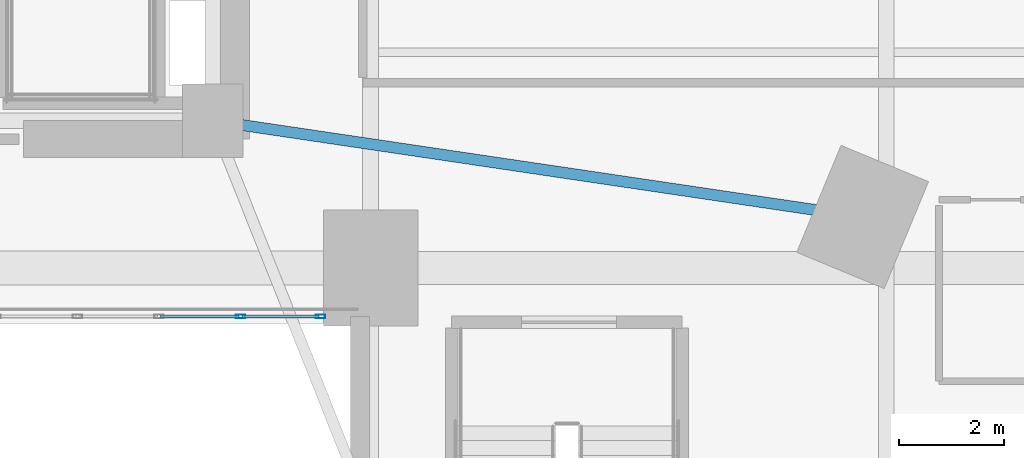
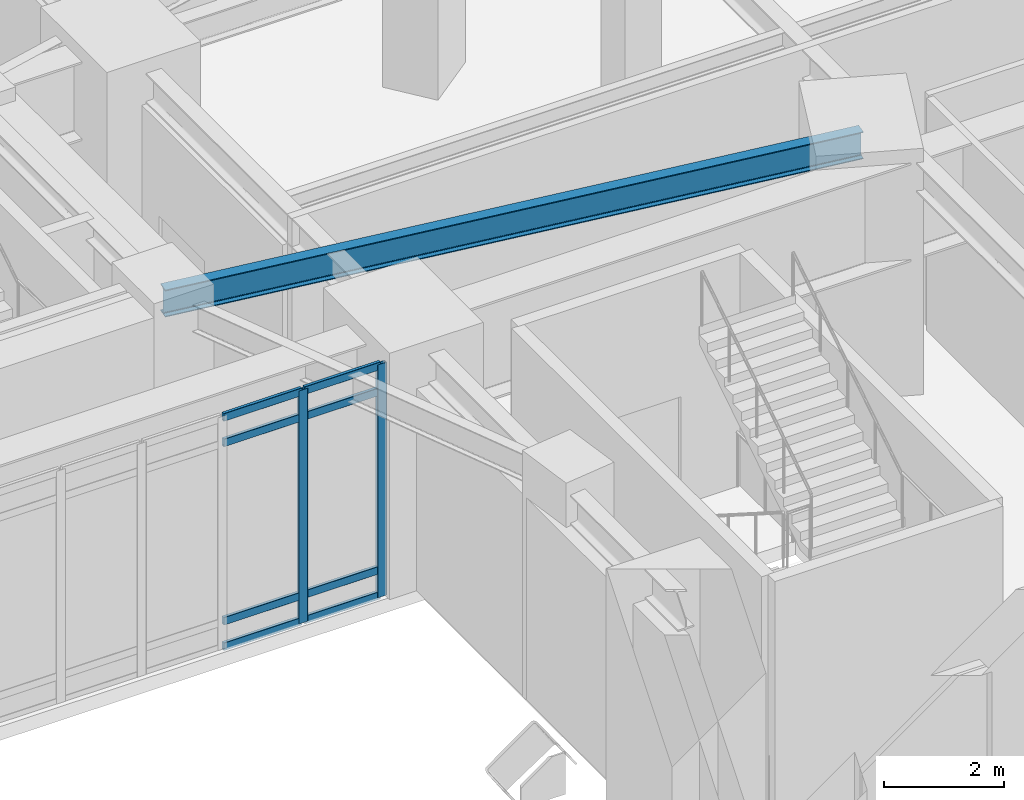
# One storey, part 8 of 26: 10 members, 1 beam, 1 element without a shape of its own.
"""IFC4 building model written with IfcOpenShell, lengths in metres."""

from ifc_helpers import new_model, si_unit, direction, frame, origin, origin_2d, place, context, subcontext, project, spatial, hollow_rectangle, i_section, extrude, material, layer, layer_set, material_profile, profile_set, type_object, element, aggregate, save


model = new_model("IFC4")

# Units and contexts
model_context = context("Model", 3, precision=1e-05, world=origin(), true_north=direction((0.0, 1.0)))
body_context = subcontext(model_context, "Body", "Model", "MODEL_VIEW")
ifc_project = project(units=[si_unit("LENGTHUNIT", "METRE"), si_unit("AREAUNIT", "SQUARE_METRE"), si_unit("VOLUMEUNIT", "CUBIC_METRE"), si_unit("PLANEANGLEUNIT", "RADIAN"), si_unit("MASSUNIT", "GRAM", prefix="KILO")], contexts=[model_context])

# Site, building, storey
site_placement = place(None, origin())
site = spatial("IfcSite", under=ifc_project, at=site_placement, CompositionType="ELEMENT")
building_placement = place(site_placement, origin())
building = spatial("IfcBuilding", under=site, at=building_placement, Name="Ndelora Gate Hotel", CompositionType="ELEMENT")
storey_placement = place(building_placement, frame((0.0, 0.0, 6.0)))
storey = spatial("IfcBuildingStorey", under=building, at=storey_placement, Name="L01", CompositionType="ELEMENT", Elevation=6.0)

# Beam
ifc_material_1 = material(Name="Steel S355", Category="steel")
ifc_material_profile_1 = material_profile(ifc_material_1, i_section(OverallWidth=0.2099609375, OverallDepth=0.550048828125, WebThickness=0.010986328125, FlangeThickness=0.01708984375, FilletRadius=0.02392578125, at=origin_2d()), Name="IPE 550")
ifc_profile_set_1 = profile_set([ifc_material_profile_1], Name="Steel S355")
beam_type = type_object("IfcBeamType", Name="BM-RAD-550", PredefinedType="BEAM", material=ifc_profile_set_1)
beam_placement = place(storey_placement, frame((8.0, -6.60009765625, 4.445068359375), z_axis=(0.989209761041, -0.146506138649, 0.0), x_axis=(0.146506138649, 0.989209761041, 0.0)))
element("IfcBeam", 1, at=beam_placement, inside=storey, type_object=beam_type, Name="L01 Tower Root Radial Tie Beam 9", PredefinedType="BEAM", context=body_context, shape_type="SweptSolid", body=[
    extrude(i_section(OverallWidth=0.2099609375, OverallDepth=0.550048828125, WebThickness=0.010986328125, FlangeThickness=0.01708984375, FilletRadius=0.02392578125, at=origin_2d()), origin(), (0.0, 0.0, 1.0), 12.48486328125),
])

# Curtain wall, members
ifc_material_2 = material(Name="Bronze Anodised Unitised Aluminium and Low-E Glass", Category="aluminium")
ifc_layer = layer(ifc_material_2, 0.239990234375)
ifc_layer_set = layer_set([ifc_layer], Name="Bronze Anodised Unitised Aluminium and Low-E Glass")
curtain_wall_type = type_object("IfcCurtainWallType", Name="CW-SYS-1", PredefinedType="NOTDEFINED", material=ifc_layer_set)
curtain_wall_placement = place(storey_placement, origin())
curtain_wall = element("IfcCurtainWall", 2, at=curtain_wall_placement, inside=storey, type_object=curtain_wall_type, Name="L01 South Portal Arch Concourse Curtain Wall CW1", PredefinedType="NOTDEFINED")
ifc_material_3 = material(Name="Bronze Anodised Aluminium 6063-T6", Category="aluminium")
ifc_material_profile_2 = material_profile(ifc_material_3, hollow_rectangle(XDim=0.070068359375, YDim=0.179931640625, WallThickness=0.0048828125, InnerFilletRadius=0.0048828125, OuterFilletRadius=0.010009765625, at=origin_2d()), Name="ALU 180x70x5")
ifc_profile_set_2 = profile_set([ifc_material_profile_2], Name="Bronze Anodised Aluminium 6063-T6")
member_type_1 = type_object("IfcMemberType", Name="MB-CW-MUL180", PredefinedType="MULLION", material=ifc_profile_set_2)
member_1_placement = place(storey_placement, frame((8.529296875, -10.320068359375, -0.00390625), z_axis=(0.0, 0.0, 1.0), x_axis=(0.0, 1.0, 0.0)))
member_1 = element("IfcMember", 3, at=member_1_placement, type_object=member_type_1, Name="CW1 mullion 13", PredefinedType="MULLION", context=body_context, shape_type="SweptSolid", body=[
    extrude(hollow_rectangle(XDim=0.070068359375, YDim=0.179931640625, WallThickness=0.0048828125, InnerFilletRadius=0.0048828125, OuterFilletRadius=0.010009765625, at=origin_2d()), origin(), (0.0, 0.0, 1.0), 4.72802734375),
])
member_2_placement = place(storey_placement, frame((10.044921875, -10.320068359375, -0.00390625), z_axis=(0.0, 0.0, 1.0), x_axis=(0.0, 1.0, 0.0)))
member_2 = element("IfcMember", 4, at=member_2_placement, type_object=member_type_1, Name="CW1 mullion 14", PredefinedType="MULLION", context=body_context, shape_type="SweptSolid", body=[
    extrude(hollow_rectangle(XDim=0.070068359375, YDim=0.179931640625, WallThickness=0.0048828125, InnerFilletRadius=0.0048828125, OuterFilletRadius=0.010009765625, at=origin_2d()), origin(), (0.0, 0.0, 1.0), 4.72802734375),
])
ifc_material_profile_3 = material_profile(ifc_material_3, hollow_rectangle(XDim=0.06494140625, YDim=0.159912109375, WallThickness=0.00390625, InnerFilletRadius=0.00390625, OuterFilletRadius=0.008056640625, at=origin_2d()), Name="ALU 160x65x4")
ifc_profile_set_3 = profile_set([ifc_material_profile_3], Name="Bronze Anodised Aluminium 6063-T6")
member_type_2 = type_object("IfcMemberType", Name="MB-CW-TRN150", PredefinedType="USERDEFINED", material=ifc_profile_set_3)
member_3_placement = place(storey_placement, frame((7.007568359375, -10.320068359375, 0.032470703125), z_axis=(1.0, 0.0, 0.0), x_axis=(0.0, 1.0, 0.0)))
member_3 = element("IfcMember", 5, at=member_3_placement, type_object=member_type_2, Name="CW1 transom 12.1", ObjectType="TRANSOM", PredefinedType="USERDEFINED", context=body_context, shape_type="SweptSolid", body=[
    extrude(hollow_rectangle(XDim=0.06494140625, YDim=0.159912109375, WallThickness=0.00390625, InnerFilletRadius=0.00390625, OuterFilletRadius=0.008056640625, at=origin_2d()), origin(), (0.0, 0.0, 1.0), 1.49267578125),
])
member_4_placement = place(storey_placement, frame((7.007568359375, -10.320068359375, 0.550048828125), z_axis=(1.0, 0.0, 0.0), x_axis=(0.0, 1.0, 0.0)))
member_4 = element("IfcMember", 6, at=member_4_placement, type_object=member_type_2, Name="CW1 transom 12.2", ObjectType="TRANSOM", PredefinedType="USERDEFINED", context=body_context, shape_type="SweptSolid", body=[
    extrude(hollow_rectangle(XDim=0.06494140625, YDim=0.159912109375, WallThickness=0.00390625, InnerFilletRadius=0.00390625, OuterFilletRadius=0.008056640625, at=origin_2d()), origin(), (0.0, 0.0, 1.0), 1.49267578125),
])
member_5_placement = place(storey_placement, frame((7.007568359375, -10.320068359375, 4.169921875), z_axis=(1.0, 0.0, 0.0), x_axis=(0.0, 1.0, 0.0)))
member_5 = element("IfcMember", 7, at=member_5_placement, type_object=member_type_2, Name="CW1 transom 12.3", ObjectType="TRANSOM", PredefinedType="USERDEFINED", context=body_context, shape_type="SweptSolid", body=[
    extrude(hollow_rectangle(XDim=0.06494140625, YDim=0.159912109375, WallThickness=0.00390625, InnerFilletRadius=0.00390625, OuterFilletRadius=0.008056640625, at=origin_2d()), origin(), (0.0, 0.0, 1.0), 1.49267578125),
])
member_6_placement = place(storey_placement, frame((7.007568359375, -10.320068359375, 4.6875), z_axis=(1.0, 0.0, 0.0), x_axis=(0.0, 1.0, 0.0)))
member_6 = element("IfcMember", 8, at=member_6_placement, type_object=member_type_2, Name="CW1 transom 12.4", ObjectType="TRANSOM", PredefinedType="USERDEFINED", context=body_context, shape_type="SweptSolid", body=[
    extrude(hollow_rectangle(XDim=0.06494140625, YDim=0.159912109375, WallThickness=0.00390625, InnerFilletRadius=0.00390625, OuterFilletRadius=0.008056640625, at=origin_2d()), origin(), (0.0, 0.0, 1.0), 1.49267578125),
])
member_7_placement = place(storey_placement, frame((8.558349609375, -10.320068359375, 0.032470703125), z_axis=(1.0, 0.0, 0.0), x_axis=(0.0, 1.0, 0.0)))
member_7 = element("IfcMember", 9, at=member_7_placement, type_object=member_type_2, Name="CW1 transom 13.1", ObjectType="TRANSOM", PredefinedType="USERDEFINED", context=body_context, shape_type="SweptSolid", body=[
    extrude(hollow_rectangle(XDim=0.06494140625, YDim=0.159912109375, WallThickness=0.00390625, InnerFilletRadius=0.00390625, OuterFilletRadius=0.008056640625, at=origin_2d()), origin(), (0.0, 0.0, 1.0), 1.457763671875),
])
member_8_placement = place(storey_placement, frame((8.558349609375, -10.320068359375, 0.550048828125), z_axis=(1.0, 0.0, 0.0), x_axis=(0.0, 1.0, 0.0)))
member_8 = element("IfcMember", 10, at=member_8_placement, type_object=member_type_2, Name="CW1 transom 13.2", ObjectType="TRANSOM", PredefinedType="USERDEFINED", context=body_context, shape_type="SweptSolid", body=[
    extrude(hollow_rectangle(XDim=0.06494140625, YDim=0.159912109375, WallThickness=0.00390625, InnerFilletRadius=0.00390625, OuterFilletRadius=0.008056640625, at=origin_2d()), origin(), (0.0, 0.0, 1.0), 1.457763671875),
])
member_9_placement = place(storey_placement, frame((8.558349609375, -10.320068359375, 4.169921875), z_axis=(1.0, 0.0, 0.0), x_axis=(0.0, 1.0, 0.0)))
member_9 = element("IfcMember", 11, at=member_9_placement, type_object=member_type_2, Name="CW1 transom 13.3", ObjectType="TRANSOM", PredefinedType="USERDEFINED", context=body_context, shape_type="SweptSolid", body=[
    extrude(hollow_rectangle(XDim=0.06494140625, YDim=0.159912109375, WallThickness=0.00390625, InnerFilletRadius=0.00390625, OuterFilletRadius=0.008056640625, at=origin_2d()), origin(), (0.0, 0.0, 1.0), 1.457763671875),
])
member_10_placement = place(storey_placement, frame((8.558349609375, -10.320068359375, 4.6875), z_axis=(1.0, 0.0, 0.0), x_axis=(0.0, 1.0, 0.0)))
member_10 = element("IfcMember", 12, at=member_10_placement, type_object=member_type_2, Name="CW1 transom 13.4", ObjectType="TRANSOM", PredefinedType="USERDEFINED", context=body_context, shape_type="SweptSolid", body=[
    extrude(hollow_rectangle(XDim=0.06494140625, YDim=0.159912109375, WallThickness=0.00390625, InnerFilletRadius=0.00390625, OuterFilletRadius=0.008056640625, at=origin_2d()), origin(), (0.0, 0.0, 1.0), 1.457763671875),
])
aggregate(curtain_wall, [member_1, member_2, member_3, member_4, member_5, member_6, member_7, member_8, member_9, member_10])

save(model, "model.ifc")
